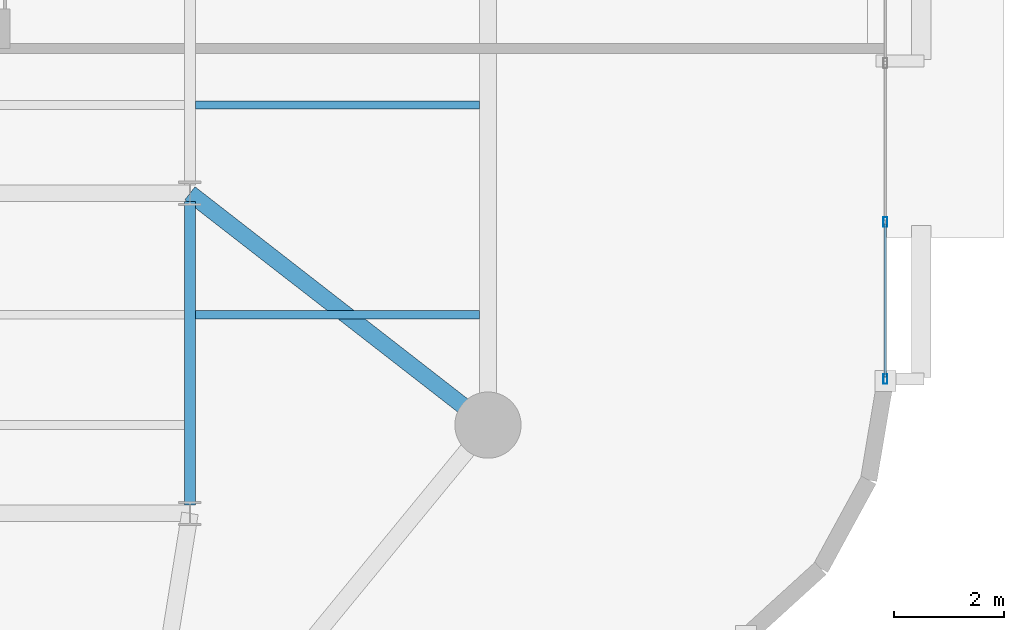
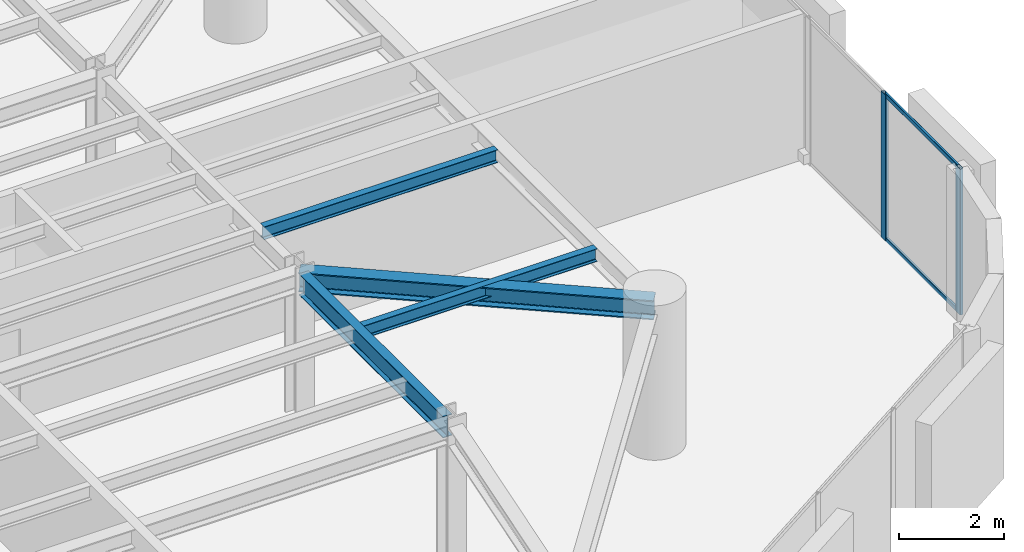
# One storey, part 3 of 15: 4 beams, 4 members, 1 element without a shape of its own.
"""IFC4 building model written with IfcOpenShell, lengths in metres."""

import ifcopenshell
import ifcopenshell.guid

model = None  # the IFC model being written
_history = None  # IfcOwnerHistory: only IFC2X3 demands one
_inside = {}  # id of a spatial element -> (the spatial element, [elements in it])
_under = {}  # id of a project, library or spatial element -> (it, [spatial elements below it])
_declared = {}  # id of a project -> (the project, [libraries it declares])
_typed = {}  # id of a type object -> (the type object, [elements of that type])
_made_of = {}  # id of a material, layer set ... -> (it, [elements and type objects made of it])


def new_model(schema):
    """Start an empty IFC model of exactly this schema.

    Asked for "IFC4X3", IfcOpenShell would pick the latest addendum, in which some entities
    have other attributes; the version numbers below select the first issue.
    IFC2X3 requires an IfcOwnerHistory on every rooted entity: one is made here for all.
    """
    global model, _history
    if schema == "IFC4X3":
        model = ifcopenshell.file(schema_version=(4, 3, 0, 0))
    else:
        model = ifcopenshell.file(schema=schema)
    _inside.clear()
    _under.clear()
    _declared.clear()
    _typed.clear()
    _made_of.clear()
    _history = None
    if model.schema == "IFC2X3":
        org = make("IfcOrganization", Name="unknown")
        user = make(
            "IfcPersonAndOrganization",
            ThePerson=make("IfcPerson", FamilyName="unknown"),
            TheOrganization=org,
        )
        app = make(
            "IfcApplication",
            ApplicationDeveloper=org,
            Version="unknown",
            ApplicationFullName="unknown",
            ApplicationIdentifier="unknown",
        )
        _history = make(
            "IfcOwnerHistory",
            OwningUser=user,
            OwningApplication=app,
            ChangeAction="ADDED",
            CreationDate=0,
        )
    return model


def make(cls, **values):
    """One entity of the class cls with the attributes given. An attribute that is None is left unset."""
    return model.create_entity(
        cls, **{name: value for name, value in values.items() if value is not None}
    )


def rooted(cls, **values):
    """An entity with a GlobalId (a new one), such as an element, a storey or a relation."""
    return make(cls, GlobalId=ifcopenshell.guid.new(), OwnerHistory=_history, **values)


def si_unit(unit_type, name, prefix=None):
    """IfcSIUnit, for example si_unit("LENGTHUNIT", "METRE", prefix="MILLI")."""
    return make("IfcSIUnit", UnitType=unit_type, Prefix=prefix, Name=name)


def assignment(units):
    """IfcUnitAssignment: the units of a project."""
    return None if units is None else make("IfcUnitAssignment", Units=units)


def point(xyz):
    """IfcCartesianPoint."""
    return None if xyz is None else make("IfcCartesianPoint", Coordinates=xyz)


def direction(xyz):
    """IfcDirection."""
    return None if xyz is None else make("IfcDirection", DirectionRatios=xyz)


def frame(location, z_axis=None, x_axis=None):
    """IfcAxis2Placement3D, a coordinate frame: its origin and axes. An axis left out is left unset."""
    return make(
        "IfcAxis2Placement3D",
        Location=point(location),
        Axis=direction(z_axis),
        RefDirection=direction(x_axis),
    )


def frame_2d(location, x_axis=None):
    """IfcAxis2Placement2D, a coordinate frame in the plane: its origin and x axis."""
    return make(
        "IfcAxis2Placement2D", Location=point(location), RefDirection=direction(x_axis)
    )


def origin():
    """The frame at (0, 0, 0) with its axes left unset."""
    return frame((0.0, 0.0, 0.0))


def origin_2d():
    """The frame at (0, 0) in the plane with its x axis left unset."""
    return frame_2d((0.0, 0.0))


def place(relative_to, where):
    """IfcLocalPlacement: puts the frame where relative to a parent placement (None: the world)."""
    return make(
        "IfcLocalPlacement", PlacementRelTo=relative_to, RelativePlacement=where
    )


def context(
    kind, dimensions, precision=None, world=None, true_north=None, identifier=None
):
    """IfcGeometricRepresentationContext, for example the 3D "Model" context."""
    return make(
        "IfcGeometricRepresentationContext",
        ContextIdentifier=identifier,
        ContextType=kind,
        CoordinateSpaceDimension=dimensions,
        Precision=precision,
        WorldCoordinateSystem=world,
        TrueNorth=true_north,
    )


def subcontext(parent, identifier, kind, view, scale=None):
    """IfcGeometricRepresentationSubContext, for example "Body" below "Model"."""
    return make(
        "IfcGeometricRepresentationSubContext",
        ContextIdentifier=identifier,
        ContextType=kind,
        ParentContext=parent,
        TargetScale=scale,
        TargetView=view,
    )


def project(units=None, contexts=None):
    """IfcProject with its units and contexts."""
    return rooted(
        "IfcProject",
        Name="project",
        RepresentationContexts=contexts,
        UnitsInContext=assignment(units),
    )


def spatial(cls, under=None, at=None, **own):
    """A site, building, storey or space (cls), placed at a placement, below another one or the project."""
    s = rooted(cls, ObjectPlacement=at, **own)
    if under is not None:
        _under.setdefault(under.id(), (under, []))[1].append(s)
    return s


def profile(cls, at=None, kind="AREA", **sizes):
    """A parametric profile (cls). Its sizes go by their IFC names, for example OverallWidth=200.0."""
    return make(cls, ProfileType=kind, Position=at, **sizes)


def hollow_rectangle(**sizes):
    """IfcRectangleHollowProfileDef."""
    return profile("IfcRectangleHollowProfileDef", **sizes)


def i_section(**sizes):
    """IfcIShapeProfileDef."""
    return profile("IfcIShapeProfileDef", **sizes)


def extrude(swept, where, along, depth):
    """IfcExtrudedAreaSolid: the profile swept, set in the frame where, extruded along a direction by depth."""
    return make(
        "IfcExtrudedAreaSolid",
        SweptArea=swept,
        Position=where,
        ExtrudedDirection=direction(along),
        Depth=depth,
    )


def shape(context_of_items, identifier, shape_type, items):
    """IfcShapeRepresentation: the items that make up one representation, for example the "Body"."""
    return make(
        "IfcShapeRepresentation",
        ContextOfItems=context_of_items,
        RepresentationIdentifier=identifier,
        RepresentationType=shape_type,
        Items=items,
    )


def material(Name=None, Category=None):
    """IfcMaterial."""
    return make("IfcMaterial", Name=Name, Category=Category)


def layer(
    of_material, thickness, ventilated=None, Name=None, Category=None, Priority=None
):
    """IfcMaterialLayer: one layer of a wall or slab, of a material (None: an air gap)."""
    return make(
        "IfcMaterialLayer",
        Material=of_material,
        LayerThickness=thickness,
        IsVentilated=ventilated,
        Name=Name,
        Category=Category,
        Priority=Priority,
    )


def layer_set(layers, Name=None):
    """IfcMaterialLayerSet."""
    return make("IfcMaterialLayerSet", MaterialLayers=layers, LayerSetName=Name)


def material_profile(
    of_material, cross_section, Name=None, Category=None, Priority=None
):
    """IfcMaterialProfile: a cross section and its material."""
    return make(
        "IfcMaterialProfile",
        Name=Name,
        Material=of_material,
        Profile=cross_section,
        Priority=Priority,
        Category=Category,
    )


def profile_set(profiles, Name=None, composite=None):
    """IfcMaterialProfileSet."""
    return make(
        "IfcMaterialProfileSet",
        Name=Name,
        MaterialProfiles=profiles,
        CompositeProfile=composite,
    )


def made_of(thing, what):
    """Note that an element or type object is made of a material, layer set ...; save() writes the relation."""
    if what is not None:
        _made_of.setdefault(what.id(), (what, []))[1].append(thing)
    return thing


def type_object(cls, material=None, **own):
    """A type object (cls), such as IfcWallType, which elements share."""
    return made_of(rooted(cls, **own), material)


def element(
    cls,
    number,
    at=None,
    inside=None,
    cuts=None,
    type_object=None,
    material=None,
    context=None,
    identifier="Body",
    shape_type=None,
    held_by="IfcProductDefinitionShape",
    body=None,
    shapes=None,
    **own,
):
    """One element of the class cls, such as IfcWall. Its Tag is "e" and its number.

    at: its placement. inside: the storey or other place that contains it. cuts: it is an
    opening in that element (IfcRelVoidsElement). A single representation is given by context,
    identifier, shape_type and body (its items); several are given by shapes. held_by: the class
    of the entity that holds the representations. save() writes the other relations.
    """
    e = rooted(cls, Tag="e%d" % number, ObjectPlacement=at, **own)
    if body is not None:
        shapes = [shape(context, identifier, shape_type, body)]
    if shapes is not None:
        e.Representation = make(held_by, Representations=shapes)
    if inside is not None:
        _inside.setdefault(inside.id(), (inside, []))[1].append(e)
    if cuts is not None:
        rooted(
            "IfcRelVoidsElement", RelatingBuildingElement=cuts, RelatedOpeningElement=e
        )
    if type_object is not None:
        _typed.setdefault(type_object.id(), (type_object, []))[1].append(e)
    return made_of(e, material)


def aggregate(whole, parts):
    """IfcRelAggregates: a whole, such as a stair, and the parts it consists of."""
    return rooted("IfcRelAggregates", RelatingObject=whole, RelatedObjects=parts)


def save(model, path):
    """Write the relations noted so far, then the file.

    IfcRelAggregates (storeys below a building ...), IfcRelContainedInSpatialStructure (elements
    in a storey), IfcRelDefinesByType, IfcRelAssociatesMaterial and IfcRelDeclares: one each for
    every whole, place, type object, material and project.
    """
    for whole, parts in _under.values():
        aggregate(whole, parts)
    for where, things in _inside.values():
        rooted(
            "IfcRelContainedInSpatialStructure",
            RelatedElements=things,
            RelatingStructure=where,
        )
    for kind, things in _typed.values():
        rooted("IfcRelDefinesByType", RelatedObjects=things, RelatingType=kind)
    for what, things in _made_of.values():
        rooted("IfcRelAssociatesMaterial", RelatedObjects=things, RelatingMaterial=what)
    for by, libraries in _declared.values():
        rooted("IfcRelDeclares", RelatingContext=by, RelatedDefinitions=libraries)
    model.write(path)


model = new_model("IFC4")

# Units and contexts
model_context = context("Model", 3, precision=1e-05, world=origin(), true_north=direction((0.0, 1.0)))
body_context = subcontext(model_context, "Body", "Model", "MODEL_VIEW")
ifc_project = project(units=[si_unit("LENGTHUNIT", "METRE"), si_unit("AREAUNIT", "SQUARE_METRE"), si_unit("VOLUMEUNIT", "CUBIC_METRE"), si_unit("PLANEANGLEUNIT", "RADIAN"), si_unit("MASSUNIT", "GRAM", prefix="KILO")], contexts=[model_context])

# Site, building, storey
site_placement = place(None, origin())
site = spatial("IfcSite", under=ifc_project, at=site_placement, CompositionType="ELEMENT")
building_placement = place(site_placement, origin())
building = spatial("IfcBuilding", under=site, at=building_placement, Name="An Khanh Terracotta Commons", CompositionType="ELEMENT")
storey_placement = place(building_placement, frame((0.0, 0.0, 176.199951171875)))
storey = spatial("IfcBuildingStorey", under=building, at=storey_placement, Name="L46", CompositionType="ELEMENT", Elevation=176.199951171875)

# Beams
ifc_material_1 = material(Name="Steel S355J2", Category="steel")
ifc_material_profile_1 = material_profile(ifc_material_1, i_section(OverallWidth=0.300048828125, OverallDepth=0.449951171875, WebThickness=0.013916015625, FlangeThickness=0.02587890625, FilletRadius=0.027099609375, at=origin_2d()), Name="HEB450")
ifc_profile_set_1 = profile_set([ifc_material_profile_1], Name="Steel S355J2")
beam_type_1 = type_object("IfcBeamType", Name="BM-HEB450", PredefinedType="BEAM", material=ifc_profile_set_1)
beam_1_placement = place(storey_placement, frame((55.800048828125, 16.0, 3.175048828125), z_axis=(-0.789363746927, 0.61392578952, 0.0), x_axis=(-0.61392578952, -0.789363746927, 0.0)))
element("IfcBeam", 1, at=beam_1_placement, inside=storey, type_object=beam_type_1, Name="L46 Mega-Column Tie Girder 3", PredefinedType="BEAM", context=body_context, shape_type="SweptSolid", body=[
    extrude(i_section(OverallWidth=0.300048828125, OverallDepth=0.449951171875, WebThickness=0.013916015625, FlangeThickness=0.02587890625, FilletRadius=0.027099609375, at=origin_2d()), origin(), (0.0, 0.0, 1.0), 6.841064453125),
])
ifc_material_profile_2 = material_profile(ifc_material_1, i_section(OverallWidth=0.14990234375, OverallDepth=0.300048828125, WebThickness=0.007080078125, FlangeThickness=0.0107421875, FilletRadius=0.014892578125, at=origin_2d()), Name="IPE300")
ifc_profile_set_2 = profile_set([ifc_material_profile_2], Name="Steel S355J2")
beam_type_2 = type_object("IfcBeamType", Name="BM-IPE300", PredefinedType="JOIST", material=ifc_profile_set_2)
for number, where, z_axis, x_axis, name in (
    (2, (50.5, 18.0, 3.25), (1.0, 0.0, 0.0), (0.0, 1.0, 0.0), "L46 Riverfront Composite Joist 2"),
    (3, (50.5, 21.800048828125, 3.25), (1.0, 0.0, 0.0), (0.0, 1.0, 0.0), "L46 Riverfront Composite Joist 3"),
):
    element("IfcBeam", number, at=place(storey_placement, frame(where, z_axis=z_axis, x_axis=x_axis)), inside=storey, type_object=beam_type_2, Name=name, PredefinedType="JOIST", context=body_context, shape_type="SweptSolid", body=[
        extrude(i_section(OverallWidth=0.14990234375, OverallDepth=0.300048828125, WebThickness=0.007080078125, FlangeThickness=0.0107421875, FilletRadius=0.014892578125, at=origin_2d()), origin(), (0.0, 0.0, 1.0), 5.14990234375),
    ])
ifc_material_profile_3 = material_profile(ifc_material_1, i_section(OverallWidth=0.199951171875, OverallDepth=0.5, WebThickness=0.01025390625, FlangeThickness=0.01611328125, FilletRadius=0.02099609375, at=origin_2d()), Name="IPE500")
ifc_profile_set_3 = profile_set([ifc_material_profile_3], Name="Steel S355J2")
beam_type_3 = type_object("IfcBeamType", Name="BM-IPE500", PredefinedType="BEAM", material=ifc_profile_set_3)
beam_2_placement = place(storey_placement, frame((50.39990234375, 14.550048828125, 3.150146484375), z_axis=(0.0, 1.0, 0.0), x_axis=(-1.0, 0.0, 0.0)))
element("IfcBeam", 4, at=beam_2_placement, inside=storey, type_object=beam_type_3, Name="L46 East Spine Girder 1", PredefinedType="BEAM", context=body_context, shape_type="SweptSolid", body=[
    extrude(i_section(OverallWidth=0.199951171875, OverallDepth=0.5, WebThickness=0.01025390625, FlangeThickness=0.01611328125, FilletRadius=0.02099609375, at=origin_2d()), origin(), (0.0, 0.0, 1.0), 5.5),
])

# Curtain wall, members
ifc_material_2 = material(Name="Anodised Aluminium 6063-T6", Category="aluminium")
ifc_layer = layer(ifc_material_2, 0.2099609375, Name="Anodised Aluminium 6063-T6")
ifc_layer_set = layer_set([ifc_layer], Name="Anodised Aluminium 6063-T6")
curtain_wall_type = type_object("IfcCurtainWallType", Name="CW-SYS-03", PredefinedType="USERDEFINED", material=ifc_layer_set)
curtain_wall_placement = place(storey_placement, origin())
curtain_wall = element("IfcCurtainWall", 5, at=curtain_wall_placement, inside=storey, type_object=curtain_wall_type, Name="L46 CW-03 Unitised Curtain Wall CW-L46-12", ObjectType="UNITISED CURTAIN WALL", PredefinedType="USERDEFINED")
ifc_material_profile_4 = material_profile(ifc_material_2, hollow_rectangle(XDim=0.070068359375, YDim=0.179931640625, WallThickness=0.00390625, InnerFilletRadius=0.00390625, OuterFilletRadius=0.008056640625, at=origin_2d()), Name="RHS180x70x4")
ifc_profile_set_4 = profile_set([ifc_material_profile_4], Name="Anodised Aluminium 6063-T6")
member_type_1 = type_object("IfcMemberType", Name="CWM-RHS180x70x4", PredefinedType="MULLION", material=ifc_profile_set_4)
member_1_placement = place(storey_placement, frame((63.0, 16.8349609375, 0.0), z_axis=(0.0, 0.0, 1.0), x_axis=(-1.0, 0.0, 0.0)))
member_1 = element("IfcMember", 6, at=member_1_placement, type_object=member_type_1, Name="CW-03 mullion 1", PredefinedType="MULLION", context=body_context, shape_type="SweptSolid", body=[
    extrude(hollow_rectangle(XDim=0.070068359375, YDim=0.179931640625, WallThickness=0.00390625, InnerFilletRadius=0.00390625, OuterFilletRadius=0.008056640625, at=origin_2d()), origin(), (0.0, 0.0, 1.0), 3.400146484375),
])
member_2_placement = place(storey_placement, frame((63.0, 19.679931640625, 0.0), z_axis=(0.0, 0.0, 1.0), x_axis=(-1.0, 0.0, 0.0)))
member_2 = element("IfcMember", 7, at=member_2_placement, type_object=member_type_1, Name="CW-03 mullion 2", PredefinedType="MULLION", context=body_context, shape_type="SweptSolid", body=[
    extrude(hollow_rectangle(XDim=0.070068359375, YDim=0.179931640625, WallThickness=0.00390625, InnerFilletRadius=0.00390625, OuterFilletRadius=0.008056640625, at=origin_2d()), origin(), (0.0, 0.0, 1.0), 3.400146484375),
])
ifc_material_profile_5 = material_profile(ifc_material_2, hollow_rectangle(XDim=0.050048828125, YDim=0.10009765625, WallThickness=0.003173828125, InnerFilletRadius=0.003173828125, OuterFilletRadius=0.00634765625, at=origin_2d()), Name="RHS100x50x3.2")
ifc_profile_set_5 = profile_set([ifc_material_profile_5], Name="Anodised Aluminium 6063-T6")
member_type_2 = type_object("IfcMemberType", Name="CWT-RHS100x50x3.2", PredefinedType="USERDEFINED", material=ifc_profile_set_5)
member_3_placement = place(storey_placement, frame((63.0, 16.8701171875, 0.025146484375), z_axis=(0.0, 1.0, 0.0), x_axis=(-1.0, 0.0, 0.0)))
member_3 = element("IfcMember", 8, at=member_3_placement, type_object=member_type_2, Name="CW-03 transom 1.1", ObjectType="TRANSOM", PredefinedType="USERDEFINED", context=body_context, shape_type="SweptSolid", body=[
    extrude(hollow_rectangle(XDim=0.050048828125, YDim=0.10009765625, WallThickness=0.003173828125, InnerFilletRadius=0.003173828125, OuterFilletRadius=0.00634765625, at=origin_2d()), origin(), (0.0, 0.0, 1.0), 2.77490234375),
])
member_4_placement = place(storey_placement, frame((63.0, 16.8701171875, 3.375), z_axis=(0.0, 1.0, 0.0), x_axis=(-1.0, 0.0, 0.0)))
member_4 = element("IfcMember", 9, at=member_4_placement, type_object=member_type_2, Name="CW-03 transom 1.2", ObjectType="TRANSOM", PredefinedType="USERDEFINED", context=body_context, shape_type="SweptSolid", body=[
    extrude(hollow_rectangle(XDim=0.050048828125, YDim=0.10009765625, WallThickness=0.003173828125, InnerFilletRadius=0.003173828125, OuterFilletRadius=0.00634765625, at=origin_2d()), origin(), (0.0, 0.0, 1.0), 2.77490234375),
])
aggregate(curtain_wall, [member_1, member_2, member_3, member_4])

save(model, "model.ifc")
